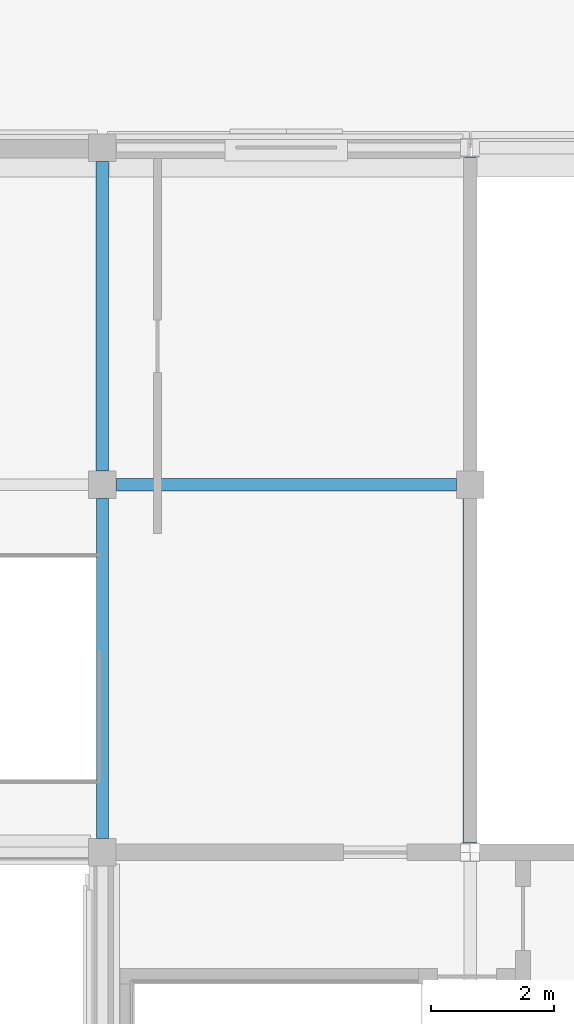
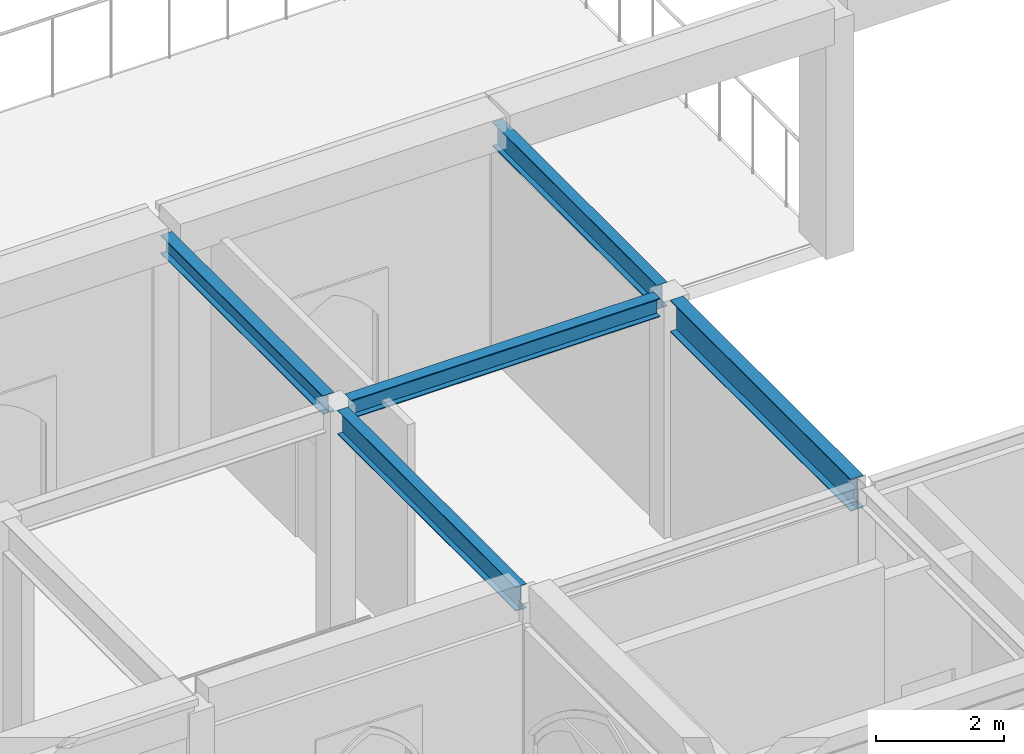
# One storey, part 17 of 59: 5 beams.
"""IFC4 building model written with IfcOpenShell, lengths in metres."""

from ifc_helpers import new_model, si_unit, direction, frame, origin, origin_2d, place, context, subcontext, project, spatial, i_section, extrude, material, material_profile, profile_set, type_object, element, save


model = new_model("IFC4")

# Units and contexts
model_context = context("Model", 3, precision=1e-05, world=origin(), true_north=direction((0.0, 1.0)))
body_context = subcontext(model_context, "Body", "Model", "MODEL_VIEW")
ifc_project = project(units=[si_unit("LENGTHUNIT", "METRE"), si_unit("AREAUNIT", "SQUARE_METRE"), si_unit("VOLUMEUNIT", "CUBIC_METRE"), si_unit("PLANEANGLEUNIT", "RADIAN"), si_unit("MASSUNIT", "GRAM", prefix="KILO")], contexts=[model_context])

# Site, building, storey
site_placement = place(None, origin())
site = spatial("IfcSite", under=ifc_project, at=site_placement, CompositionType="ELEMENT")
building_placement = place(site_placement, origin())
building = spatial("IfcBuilding", under=site, at=building_placement, Name="Cumevento Cable Car Station", CompositionType="ELEMENT")
storey_placement = place(building_placement, frame((0.0, 0.0, 18.0)))
storey = spatial("IfcBuildingStorey", under=building, at=storey_placement, Name="L05", CompositionType="ELEMENT", Elevation=18.0)

# Beams
ifc_material_1 = material(Name="Steel ASTM A572 Grade 50", Category="steel")
ifc_material_profile_1 = material_profile(ifc_material_1, i_section(OverallWidth=0.22802734375, OverallDepth=0.60791015625, WebThickness=0.01123046875, FlangeThickness=0.017333984375, at=origin_2d()), Name="W610x113.0")
ifc_profile_set_1 = profile_set([ifc_material_profile_1], Name="Steel ASTM A572 Grade 50")
beam_type_1 = type_object("IfcBeamType", Name="Structural Beam BM-02 W610x113.0", PredefinedType="BEAM", material=ifc_profile_set_1)
beam_1_placement = place(storey_placement, frame((64.0, 45.154052734375, 4.196044921875), z_axis=(0.0, 1.0, 0.0), x_axis=(-1.0, 0.0, 0.0)))
element("IfcBeam", 1, at=beam_1_placement, inside=storey, type_object=beam_type_1, Name="Beam BM-02 L05 #1615", PredefinedType="BEAM", context=body_context, shape_type="SweptSolid", body=[
    extrude(i_section(OverallWidth=0.22802734375, OverallDepth=0.60791015625, WebThickness=0.01123046875, FlangeThickness=0.017333984375, at=origin_2d()), origin(), (0.0, 0.0, 1.0), 5.620849609375),
])
ifc_material_2 = material(Name="Steel ASTM A572 Grade 50", Category="steel")
ifc_material_profile_2 = material_profile(ifc_material_2, i_section(OverallWidth=0.18994140625, OverallDepth=0.45703125, WebThickness=0.009033203125, FlangeThickness=0.014404296875, at=origin_2d()), Name="W460x74.0")
ifc_profile_set_2 = profile_set([ifc_material_profile_2], Name="Steel ASTM A572 Grade 50")
beam_type_2 = type_object("IfcBeamType", Name="Structural Beam BM-04 W460x74.0", PredefinedType="BEAM", material=ifc_profile_set_2)
beam_2_placement = place(storey_placement, frame((58.0, 45.22509765625, 4.271484375), z_axis=(0.0, 1.0, 0.0), x_axis=(-1.0, 0.0, 0.0)))
element("IfcBeam", 2, at=beam_2_placement, inside=storey, type_object=beam_type_2, Name="Beam BM-04 L05 #1613", PredefinedType="BEAM", context=body_context, shape_type="SweptSolid", body=[
    extrude(i_section(OverallWidth=0.18994140625, OverallDepth=0.45703125, WebThickness=0.009033203125, FlangeThickness=0.014404296875, at=origin_2d()), origin(), (0.0, 0.0, 1.0), 5.5498046875),
])
beam_3_placement = place(storey_placement, frame((64.0, 51.22509765625, 4.271484375), z_axis=(0.0, 1.0, 0.0), x_axis=(-1.0, 0.0, 0.0)))
element("IfcBeam", 3, at=beam_3_placement, inside=storey, type_object=beam_type_2, Name="Beam BM-04 L05 #1616", PredefinedType="BEAM", context=body_context, shape_type="SweptSolid", body=[
    extrude(i_section(OverallWidth=0.18994140625, OverallDepth=0.45703125, WebThickness=0.009033203125, FlangeThickness=0.014404296875, at=origin_2d()), origin(), (0.0, 0.0, 1.0), 5.120849609375),
])
ifc_material_3 = material(Name="Steel ASTM A572 Grade 50", Category="steel")
ifc_material_profile_3 = material_profile(ifc_material_3, i_section(OverallWidth=0.205078125, OverallDepth=0.35400390625, WebThickness=0.009521484375, FlangeThickness=0.016845703125, at=origin_2d()), Name="W360x79.0")
ifc_profile_set_3 = profile_set([ifc_material_profile_3], Name="Steel ASTM A572 Grade 50")
beam_type_3 = type_object("IfcBeamType", Name="Structural Beam BM-05 W360x79.0", PredefinedType="BEAM", material=ifc_profile_set_3)
beam_4_placement = place(storey_placement, frame((58.22509765625, 51.0, 4.322998046875), z_axis=(1.0, 0.0, 0.0), x_axis=(0.0, 1.0, 0.0)))
element("IfcBeam", 4, at=beam_4_placement, inside=storey, type_object=beam_type_3, Name="Beam BM-05 L05 #1610", PredefinedType="BEAM", context=body_context, shape_type="SweptSolid", body=[
    extrude(i_section(OverallWidth=0.205078125, OverallDepth=0.35400390625, WebThickness=0.009521484375, FlangeThickness=0.016845703125, at=origin_2d()), origin(), (0.0, 0.0, 1.0), 5.5498046875),
])
beam_5_placement = place(storey_placement, frame((58.0, 51.22509765625, 4.322998046875), z_axis=(0.0, 1.0, 0.0), x_axis=(-1.0, 0.0, 0.0)))
element("IfcBeam", 5, at=beam_5_placement, inside=storey, type_object=beam_type_3, Name="Beam BM-05 L05 #1614", PredefinedType="BEAM", context=body_context, shape_type="SweptSolid", body=[
    extrude(i_section(OverallWidth=0.205078125, OverallDepth=0.35400390625, WebThickness=0.009521484375, FlangeThickness=0.016845703125, at=origin_2d()), origin(), (0.0, 0.0, 1.0), 5.0498046875),
])

save(model, "model.ifc")
